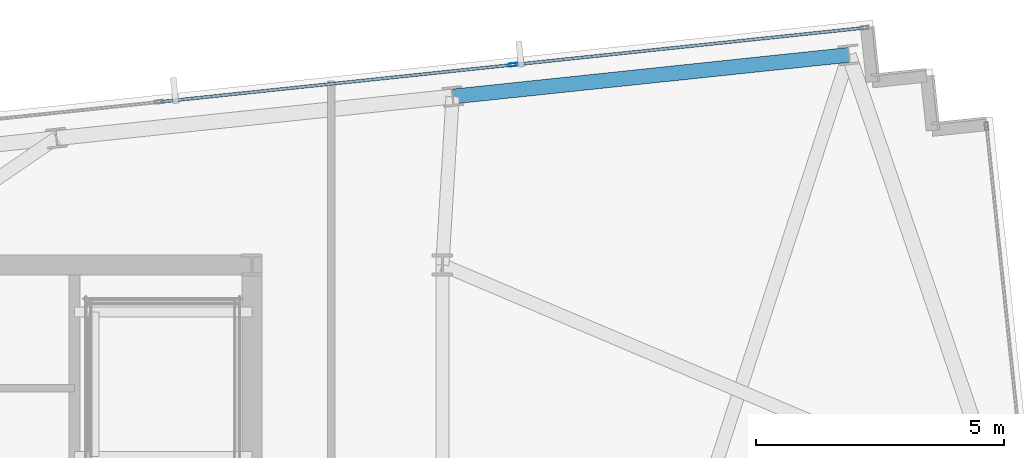
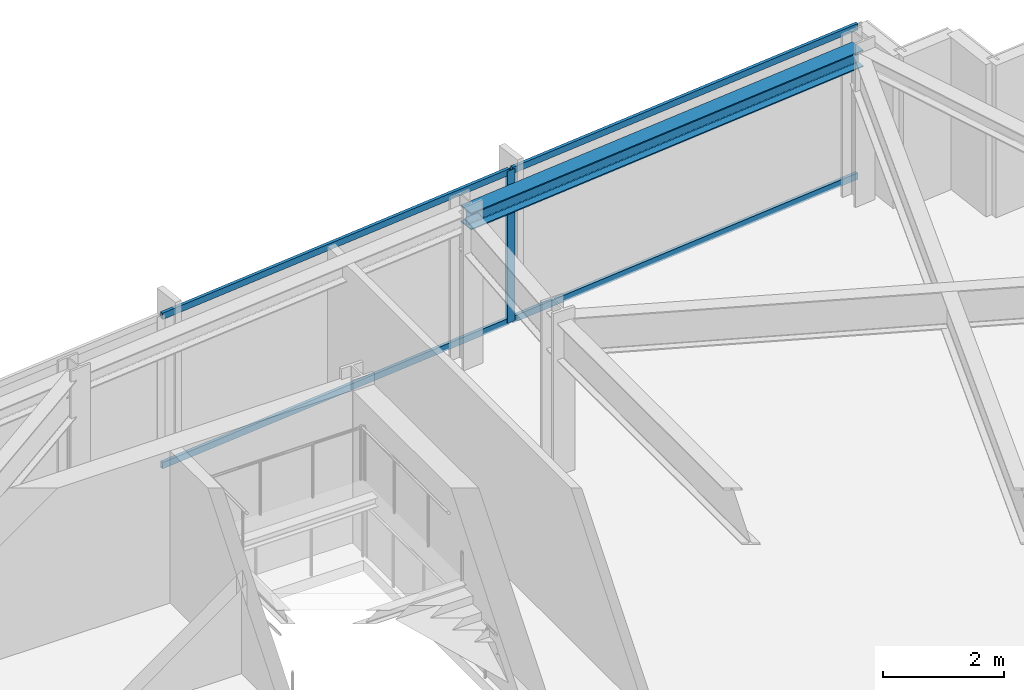
# One storey, part 24 of 33: 5 members, 1 beam, 1 element without a shape of its own.
"""IFC4 building model written with IfcOpenShell, lengths in metres."""

import ifcopenshell
import ifcopenshell.guid

model = None  # the IFC model being written
_history = None  # IfcOwnerHistory: only IFC2X3 demands one
_inside = {}  # id of a spatial element -> (the spatial element, [elements in it])
_under = {}  # id of a project, library or spatial element -> (it, [spatial elements below it])
_declared = {}  # id of a project -> (the project, [libraries it declares])
_typed = {}  # id of a type object -> (the type object, [elements of that type])
_made_of = {}  # id of a material, layer set ... -> (it, [elements and type objects made of it])


def new_model(schema):
    """Start an empty IFC model of exactly this schema.

    Asked for "IFC4X3", IfcOpenShell would pick the latest addendum, in which some entities
    have other attributes; the version numbers below select the first issue.
    IFC2X3 requires an IfcOwnerHistory on every rooted entity: one is made here for all.
    """
    global model, _history
    if schema == "IFC4X3":
        model = ifcopenshell.file(schema_version=(4, 3, 0, 0))
    else:
        model = ifcopenshell.file(schema=schema)
    _inside.clear()
    _under.clear()
    _declared.clear()
    _typed.clear()
    _made_of.clear()
    _history = None
    if model.schema == "IFC2X3":
        org = make("IfcOrganization", Name="unknown")
        user = make(
            "IfcPersonAndOrganization",
            ThePerson=make("IfcPerson", FamilyName="unknown"),
            TheOrganization=org,
        )
        app = make(
            "IfcApplication",
            ApplicationDeveloper=org,
            Version="unknown",
            ApplicationFullName="unknown",
            ApplicationIdentifier="unknown",
        )
        _history = make(
            "IfcOwnerHistory",
            OwningUser=user,
            OwningApplication=app,
            ChangeAction="ADDED",
            CreationDate=0,
        )
    return model


def make(cls, **values):
    """One entity of the class cls with the attributes given. An attribute that is None is left unset."""
    return model.create_entity(
        cls, **{name: value for name, value in values.items() if value is not None}
    )


def rooted(cls, **values):
    """An entity with a GlobalId (a new one), such as an element, a storey or a relation."""
    return make(cls, GlobalId=ifcopenshell.guid.new(), OwnerHistory=_history, **values)


def si_unit(unit_type, name, prefix=None):
    """IfcSIUnit, for example si_unit("LENGTHUNIT", "METRE", prefix="MILLI")."""
    return make("IfcSIUnit", UnitType=unit_type, Prefix=prefix, Name=name)


def assignment(units):
    """IfcUnitAssignment: the units of a project."""
    return None if units is None else make("IfcUnitAssignment", Units=units)


def point(xyz):
    """IfcCartesianPoint."""
    return None if xyz is None else make("IfcCartesianPoint", Coordinates=xyz)


def direction(xyz):
    """IfcDirection."""
    return None if xyz is None else make("IfcDirection", DirectionRatios=xyz)


def frame(location, z_axis=None, x_axis=None):
    """IfcAxis2Placement3D, a coordinate frame: its origin and axes. An axis left out is left unset."""
    return make(
        "IfcAxis2Placement3D",
        Location=point(location),
        Axis=direction(z_axis),
        RefDirection=direction(x_axis),
    )


def frame_2d(location, x_axis=None):
    """IfcAxis2Placement2D, a coordinate frame in the plane: its origin and x axis."""
    return make(
        "IfcAxis2Placement2D", Location=point(location), RefDirection=direction(x_axis)
    )


def origin():
    """The frame at (0, 0, 0) with its axes left unset."""
    return frame((0.0, 0.0, 0.0))


def origin_2d():
    """The frame at (0, 0) in the plane with its x axis left unset."""
    return frame_2d((0.0, 0.0))


def place(relative_to, where):
    """IfcLocalPlacement: puts the frame where relative to a parent placement (None: the world)."""
    return make(
        "IfcLocalPlacement", PlacementRelTo=relative_to, RelativePlacement=where
    )


def context(
    kind, dimensions, precision=None, world=None, true_north=None, identifier=None
):
    """IfcGeometricRepresentationContext, for example the 3D "Model" context."""
    return make(
        "IfcGeometricRepresentationContext",
        ContextIdentifier=identifier,
        ContextType=kind,
        CoordinateSpaceDimension=dimensions,
        Precision=precision,
        WorldCoordinateSystem=world,
        TrueNorth=true_north,
    )


def subcontext(parent, identifier, kind, view, scale=None):
    """IfcGeometricRepresentationSubContext, for example "Body" below "Model"."""
    return make(
        "IfcGeometricRepresentationSubContext",
        ContextIdentifier=identifier,
        ContextType=kind,
        ParentContext=parent,
        TargetScale=scale,
        TargetView=view,
    )


def project(units=None, contexts=None):
    """IfcProject with its units and contexts."""
    return rooted(
        "IfcProject",
        Name="project",
        RepresentationContexts=contexts,
        UnitsInContext=assignment(units),
    )


def spatial(cls, under=None, at=None, **own):
    """A site, building, storey or space (cls), placed at a placement, below another one or the project."""
    s = rooted(cls, ObjectPlacement=at, **own)
    if under is not None:
        _under.setdefault(under.id(), (under, []))[1].append(s)
    return s


def profile(cls, at=None, kind="AREA", **sizes):
    """A parametric profile (cls). Its sizes go by their IFC names, for example OverallWidth=200.0."""
    return make(cls, ProfileType=kind, Position=at, **sizes)


def hollow_rectangle(**sizes):
    """IfcRectangleHollowProfileDef."""
    return profile("IfcRectangleHollowProfileDef", **sizes)


def i_section(**sizes):
    """IfcIShapeProfileDef."""
    return profile("IfcIShapeProfileDef", **sizes)


def extrude(swept, where, along, depth):
    """IfcExtrudedAreaSolid: the profile swept, set in the frame where, extruded along a direction by depth."""
    return make(
        "IfcExtrudedAreaSolid",
        SweptArea=swept,
        Position=where,
        ExtrudedDirection=direction(along),
        Depth=depth,
    )


def shape(context_of_items, identifier, shape_type, items):
    """IfcShapeRepresentation: the items that make up one representation, for example the "Body"."""
    return make(
        "IfcShapeRepresentation",
        ContextOfItems=context_of_items,
        RepresentationIdentifier=identifier,
        RepresentationType=shape_type,
        Items=items,
    )


def material(Name=None, Category=None):
    """IfcMaterial."""
    return make("IfcMaterial", Name=Name, Category=Category)


def material_profile(
    of_material, cross_section, Name=None, Category=None, Priority=None
):
    """IfcMaterialProfile: a cross section and its material."""
    return make(
        "IfcMaterialProfile",
        Name=Name,
        Material=of_material,
        Profile=cross_section,
        Priority=Priority,
        Category=Category,
    )


def profile_set(profiles, Name=None, composite=None):
    """IfcMaterialProfileSet."""
    return make(
        "IfcMaterialProfileSet",
        Name=Name,
        MaterialProfiles=profiles,
        CompositeProfile=composite,
    )


def made_of(thing, what):
    """Note that an element or type object is made of a material, layer set ...; save() writes the relation."""
    if what is not None:
        _made_of.setdefault(what.id(), (what, []))[1].append(thing)
    return thing


def type_object(cls, material=None, **own):
    """A type object (cls), such as IfcWallType, which elements share."""
    return made_of(rooted(cls, **own), material)


def element(
    cls,
    number,
    at=None,
    inside=None,
    cuts=None,
    type_object=None,
    material=None,
    context=None,
    identifier="Body",
    shape_type=None,
    held_by="IfcProductDefinitionShape",
    body=None,
    shapes=None,
    **own,
):
    """One element of the class cls, such as IfcWall. Its Tag is "e" and its number.

    at: its placement. inside: the storey or other place that contains it. cuts: it is an
    opening in that element (IfcRelVoidsElement). A single representation is given by context,
    identifier, shape_type and body (its items); several are given by shapes. held_by: the class
    of the entity that holds the representations. save() writes the other relations.
    """
    e = rooted(cls, Tag="e%d" % number, ObjectPlacement=at, **own)
    if body is not None:
        shapes = [shape(context, identifier, shape_type, body)]
    if shapes is not None:
        e.Representation = make(held_by, Representations=shapes)
    if inside is not None:
        _inside.setdefault(inside.id(), (inside, []))[1].append(e)
    if cuts is not None:
        rooted(
            "IfcRelVoidsElement", RelatingBuildingElement=cuts, RelatedOpeningElement=e
        )
    if type_object is not None:
        _typed.setdefault(type_object.id(), (type_object, []))[1].append(e)
    return made_of(e, material)


def aggregate(whole, parts):
    """IfcRelAggregates: a whole, such as a stair, and the parts it consists of."""
    return rooted("IfcRelAggregates", RelatingObject=whole, RelatedObjects=parts)


def save(model, path):
    """Write the relations noted so far, then the file.

    IfcRelAggregates (storeys below a building ...), IfcRelContainedInSpatialStructure (elements
    in a storey), IfcRelDefinesByType, IfcRelAssociatesMaterial and IfcRelDeclares: one each for
    every whole, place, type object, material and project.
    """
    for whole, parts in _under.values():
        aggregate(whole, parts)
    for where, things in _inside.values():
        rooted(
            "IfcRelContainedInSpatialStructure",
            RelatedElements=things,
            RelatingStructure=where,
        )
    for kind, things in _typed.values():
        rooted("IfcRelDefinesByType", RelatedObjects=things, RelatingType=kind)
    for what, things in _made_of.values():
        rooted("IfcRelAssociatesMaterial", RelatedObjects=things, RelatingMaterial=what)
    for by, libraries in _declared.values():
        rooted("IfcRelDeclares", RelatingContext=by, RelatedDefinitions=libraries)
    model.write(path)


model = new_model("IFC4")

# Units and contexts
model_context = context("Model", 3, precision=1e-05, world=origin(), true_north=direction((0.0, 1.0)))
body_context = subcontext(model_context, "Body", "Model", "MODEL_VIEW")
ifc_project = project(units=[si_unit("LENGTHUNIT", "METRE"), si_unit("AREAUNIT", "SQUARE_METRE"), si_unit("VOLUMEUNIT", "CUBIC_METRE"), si_unit("PLANEANGLEUNIT", "RADIAN"), si_unit("MASSUNIT", "GRAM", prefix="KILO")], contexts=[model_context])

# Site, building, storey
site_placement = place(None, origin())
site = spatial("IfcSite", under=ifc_project, at=site_placement, CompositionType="ELEMENT")
building_placement = place(site_placement, origin())
building = spatial("IfcBuilding", under=site, at=building_placement, Name="Yelkora Congress Tower", CompositionType="ELEMENT")
storey_placement = place(building_placement, frame((0.0, 0.0, 240.800048828125)))
storey = spatial("IfcBuildingStorey", under=building, at=storey_placement, Name="L67", CompositionType="ELEMENT", Elevation=240.800048828125)

# Beam
ifc_material_1 = material(Name="Steel S355J2", Category="steel")
ifc_material_profile_1 = material_profile(ifc_material_1, i_section(OverallWidth=0.300048828125, OverallDepth=0.340087890625, WebThickness=0.011962890625, FlangeThickness=0.021484375, FilletRadius=0.027099609375, at=origin_2d()), Name="HEB 340")
ifc_profile_set_1 = profile_set([ifc_material_profile_1], Name="Steel S355J2")
beam_type = type_object("IfcBeamType", Name="BM-SPAN-HEB340", PredefinedType="SPANDREL", material=ifc_profile_set_1)
beam_placement = place(storey_placement, frame((65.7958984375, 50.4365234375, 2.909912109375), z_axis=(-0.994520097542, -0.104545567032, 0.0), x_axis=(0.104545567032, -0.994520097542, 0.0)))
element("IfcBeam", 1, at=beam_placement, inside=storey, type_object=beam_type, Name="L67 Perimeter Beam 13", PredefinedType="SPANDREL", context=body_context, shape_type="SweptSolid", body=[
    extrude(i_section(OverallWidth=0.300048828125, OverallDepth=0.340087890625, WebThickness=0.011962890625, FlangeThickness=0.021484375, FilletRadius=0.027099609375, at=origin_2d()), origin(), (0.0, 0.0, 1.0), 8.033203125),
])

# Curtain wall, members
ifc_material_2 = material(Name="Anodised aluminium and insulated glass", Category="aluminium")
curtain_wall_type = type_object("IfcCurtainWallType", Name="CW-SYS-B4", PredefinedType="NOTDEFINED", material=ifc_material_2)
curtain_wall_placement = place(storey_placement, origin())
curtain_wall = element("IfcCurtainWall", 2, at=curtain_wall_placement, inside=storey, type_object=curtain_wall_type, Name="L67 Unitised Curtain Wall 10 (3)", PredefinedType="NOTDEFINED")
ifc_material_3 = material(Name="Anodised aluminium 6063-T6", Category="aluminium")
ifc_material_profile_2 = material_profile(ifc_material_3, hollow_rectangle(XDim=0.06494140625, YDim=0.159912109375, WallThickness=0.00390625, at=origin_2d()), Name="ALU 65x160x4")
ifc_profile_set_2 = profile_set([ifc_material_profile_2], Name="Anodised aluminium 6063-T6")
member_type_1 = type_object("IfcMemberType", Name="MEM-ML-B4", PredefinedType="MULLION", material=ifc_profile_set_2)
member_1_placement = place(storey_placement, frame((59.019775390625, 50.237060546875, 0.0), z_axis=(0.0, 0.0, 1.0), x_axis=(-0.104527724021, 0.994521973066, 0.0)))
member_1 = element("IfcMember", 3, at=member_1_placement, type_object=member_type_1, Name="CW-B4 mullion 6", PredefinedType="MULLION", context=body_context, shape_type="SweptSolid", body=[
    extrude(hollow_rectangle(XDim=0.06494140625, YDim=0.159912109375, WallThickness=0.00390625, at=origin_2d()), origin(), (0.0, 0.0, 1.0), 3.079833984375),
])
ifc_material_profile_3 = material_profile(ifc_material_3, hollow_rectangle(XDim=0.06005859375, YDim=0.1298828125, WallThickness=0.00390625, at=origin_2d()), Name="ALU 60x130x4")
ifc_profile_set_3 = profile_set([ifc_material_profile_3], Name="Anodised aluminium 6063-T6")
member_type_2 = type_object("IfcMemberType", Name="MEM-TR-B4", PredefinedType="USERDEFINED", material=ifc_profile_set_3)
member_2_placement = place(storey_placement, frame((51.92138671875, 49.490966796875, 0.030029296875), z_axis=(0.99452200925, 0.104527379751, 0.0), x_axis=(-0.104527379751, 0.99452200925, 0.0)))
member_2 = element("IfcMember", 4, at=member_2_placement, type_object=member_type_2, Name="CW-B4 transom 5.1", ObjectType="TRANSOM", PredefinedType="USERDEFINED", context=body_context, shape_type="SweptSolid", body=[
    extrude(hollow_rectangle(XDim=0.06005859375, YDim=0.1298828125, WallThickness=0.00390625, at=origin_2d()), origin(), (0.0, 0.0, 1.0), 7.10498046875),
])
member_3_placement = place(storey_placement, frame((51.92138671875, 49.490966796875, 3.050048828125), z_axis=(0.99452200925, 0.104527379751, 0.0), x_axis=(-0.104527379751, 0.99452200925, 0.0)))
member_3 = element("IfcMember", 5, at=member_3_placement, type_object=member_type_2, Name="CW-B4 transom 5.2", ObjectType="TRANSOM", PredefinedType="USERDEFINED", context=body_context, shape_type="SweptSolid", body=[
    extrude(hollow_rectangle(XDim=0.06005859375, YDim=0.1298828125, WallThickness=0.00390625, at=origin_2d()), origin(), (0.0, 0.0, 1.0), 7.10498046875),
])
member_4_placement = place(storey_placement, frame((59.052001953125, 50.240478515625, 0.030029296875), z_axis=(0.994522462765, 0.104523064706, 0.0), x_axis=(-0.104523064706, 0.994522462765, 0.0)))
member_4 = element("IfcMember", 6, at=member_4_placement, type_object=member_type_2, Name="CW-B4 transom 6.1", ObjectType="TRANSOM", PredefinedType="USERDEFINED", context=body_context, shape_type="SweptSolid", body=[
    extrude(hollow_rectangle(XDim=0.06005859375, YDim=0.1298828125, WallThickness=0.00390625, at=origin_2d()), origin(), (0.0, 0.0, 1.0), 7.07275390625),
])
member_5_placement = place(storey_placement, frame((59.052001953125, 50.240478515625, 3.050048828125), z_axis=(0.994522462765, 0.104523064706, 0.0), x_axis=(-0.104523064706, 0.994522462765, 0.0)))
member_5 = element("IfcMember", 7, at=member_5_placement, type_object=member_type_2, Name="CW-B4 transom 6.2", ObjectType="TRANSOM", PredefinedType="USERDEFINED", context=body_context, shape_type="SweptSolid", body=[
    extrude(hollow_rectangle(XDim=0.06005859375, YDim=0.1298828125, WallThickness=0.00390625, at=origin_2d()), origin(), (0.0, 0.0, 1.0), 7.07275390625),
])
aggregate(curtain_wall, [member_1, member_2, member_3, member_4, member_5])

save(model, "model.ifc")
